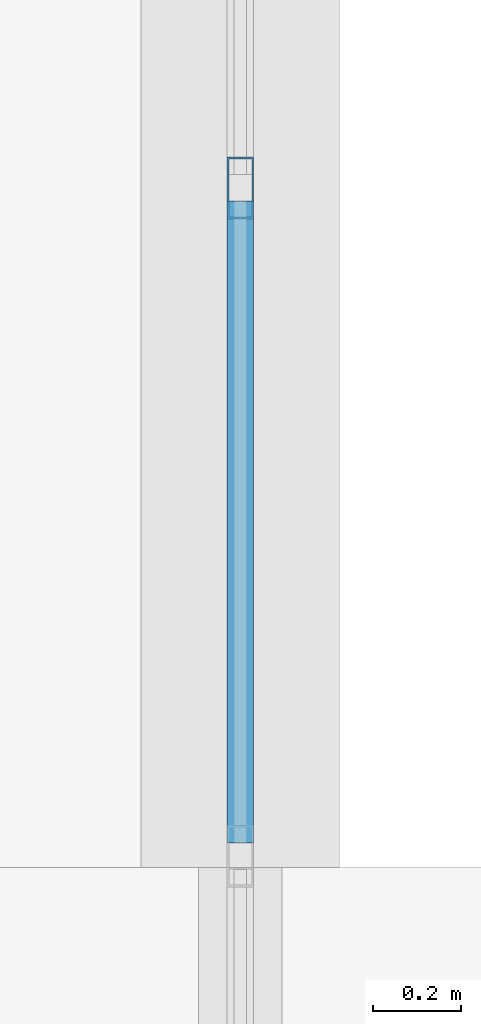
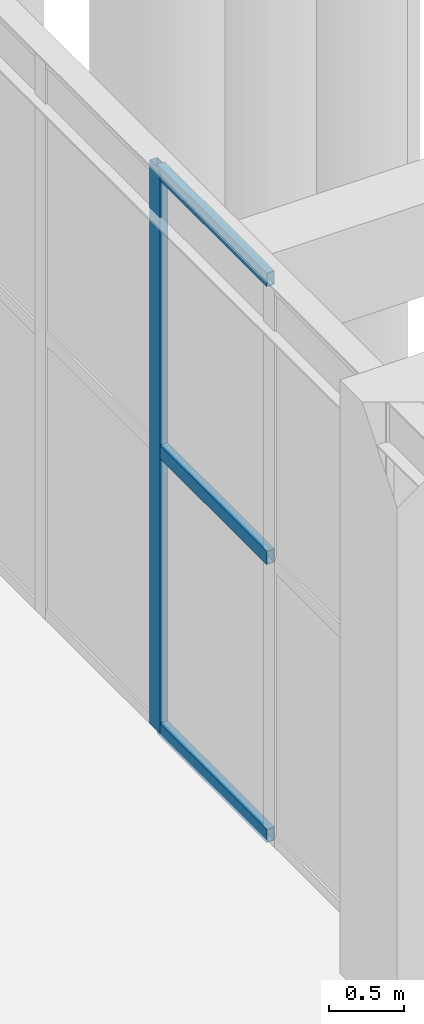
# One storey, part 98 of 192: 4 members, 1 element without a shape of its own.
"""IFC4 building model written with IfcOpenShell, lengths in metres."""

import ifcopenshell
import ifcopenshell.guid

model = None  # the IFC model being written
_history = None  # IfcOwnerHistory: only IFC2X3 demands one
_inside = {}  # id of a spatial element -> (the spatial element, [elements in it])
_under = {}  # id of a project, library or spatial element -> (it, [spatial elements below it])
_declared = {}  # id of a project -> (the project, [libraries it declares])
_typed = {}  # id of a type object -> (the type object, [elements of that type])
_made_of = {}  # id of a material, layer set ... -> (it, [elements and type objects made of it])


def new_model(schema):
    """Start an empty IFC model of exactly this schema.

    Asked for "IFC4X3", IfcOpenShell would pick the latest addendum, in which some entities
    have other attributes; the version numbers below select the first issue.
    IFC2X3 requires an IfcOwnerHistory on every rooted entity: one is made here for all.
    """
    global model, _history
    if schema == "IFC4X3":
        model = ifcopenshell.file(schema_version=(4, 3, 0, 0))
    else:
        model = ifcopenshell.file(schema=schema)
    _inside.clear()
    _under.clear()
    _declared.clear()
    _typed.clear()
    _made_of.clear()
    _history = None
    if model.schema == "IFC2X3":
        org = make("IfcOrganization", Name="unknown")
        user = make(
            "IfcPersonAndOrganization",
            ThePerson=make("IfcPerson", FamilyName="unknown"),
            TheOrganization=org,
        )
        app = make(
            "IfcApplication",
            ApplicationDeveloper=org,
            Version="unknown",
            ApplicationFullName="unknown",
            ApplicationIdentifier="unknown",
        )
        _history = make(
            "IfcOwnerHistory",
            OwningUser=user,
            OwningApplication=app,
            ChangeAction="ADDED",
            CreationDate=0,
        )
    return model


def make(cls, **values):
    """One entity of the class cls with the attributes given. An attribute that is None is left unset."""
    return model.create_entity(
        cls, **{name: value for name, value in values.items() if value is not None}
    )


def rooted(cls, **values):
    """An entity with a GlobalId (a new one), such as an element, a storey or a relation."""
    return make(cls, GlobalId=ifcopenshell.guid.new(), OwnerHistory=_history, **values)


def si_unit(unit_type, name, prefix=None):
    """IfcSIUnit, for example si_unit("LENGTHUNIT", "METRE", prefix="MILLI")."""
    return make("IfcSIUnit", UnitType=unit_type, Prefix=prefix, Name=name)


def assignment(units):
    """IfcUnitAssignment: the units of a project."""
    return None if units is None else make("IfcUnitAssignment", Units=units)


def point(xyz):
    """IfcCartesianPoint."""
    return None if xyz is None else make("IfcCartesianPoint", Coordinates=xyz)


def direction(xyz):
    """IfcDirection."""
    return None if xyz is None else make("IfcDirection", DirectionRatios=xyz)


def frame(location, z_axis=None, x_axis=None):
    """IfcAxis2Placement3D, a coordinate frame: its origin and axes. An axis left out is left unset."""
    return make(
        "IfcAxis2Placement3D",
        Location=point(location),
        Axis=direction(z_axis),
        RefDirection=direction(x_axis),
    )


def frame_2d(location, x_axis=None):
    """IfcAxis2Placement2D, a coordinate frame in the plane: its origin and x axis."""
    return make(
        "IfcAxis2Placement2D", Location=point(location), RefDirection=direction(x_axis)
    )


def origin():
    """The frame at (0, 0, 0) with its axes left unset."""
    return frame((0.0, 0.0, 0.0))


def origin_2d():
    """The frame at (0, 0) in the plane with its x axis left unset."""
    return frame_2d((0.0, 0.0))


def place(relative_to, where):
    """IfcLocalPlacement: puts the frame where relative to a parent placement (None: the world)."""
    return make(
        "IfcLocalPlacement", PlacementRelTo=relative_to, RelativePlacement=where
    )


def context(
    kind, dimensions, precision=None, world=None, true_north=None, identifier=None
):
    """IfcGeometricRepresentationContext, for example the 3D "Model" context."""
    return make(
        "IfcGeometricRepresentationContext",
        ContextIdentifier=identifier,
        ContextType=kind,
        CoordinateSpaceDimension=dimensions,
        Precision=precision,
        WorldCoordinateSystem=world,
        TrueNorth=true_north,
    )


def subcontext(parent, identifier, kind, view, scale=None):
    """IfcGeometricRepresentationSubContext, for example "Body" below "Model"."""
    return make(
        "IfcGeometricRepresentationSubContext",
        ContextIdentifier=identifier,
        ContextType=kind,
        ParentContext=parent,
        TargetScale=scale,
        TargetView=view,
    )


def project(units=None, contexts=None):
    """IfcProject with its units and contexts."""
    return rooted(
        "IfcProject",
        Name="project",
        RepresentationContexts=contexts,
        UnitsInContext=assignment(units),
    )


def spatial(cls, under=None, at=None, **own):
    """A site, building, storey or space (cls), placed at a placement, below another one or the project."""
    s = rooted(cls, ObjectPlacement=at, **own)
    if under is not None:
        _under.setdefault(under.id(), (under, []))[1].append(s)
    return s


def profile(cls, at=None, kind="AREA", **sizes):
    """A parametric profile (cls). Its sizes go by their IFC names, for example OverallWidth=200.0."""
    return make(cls, ProfileType=kind, Position=at, **sizes)


def hollow_rectangle(**sizes):
    """IfcRectangleHollowProfileDef."""
    return profile("IfcRectangleHollowProfileDef", **sizes)


def extrude(swept, where, along, depth):
    """IfcExtrudedAreaSolid: the profile swept, set in the frame where, extruded along a direction by depth."""
    return make(
        "IfcExtrudedAreaSolid",
        SweptArea=swept,
        Position=where,
        ExtrudedDirection=direction(along),
        Depth=depth,
    )


def shape(context_of_items, identifier, shape_type, items):
    """IfcShapeRepresentation: the items that make up one representation, for example the "Body"."""
    return make(
        "IfcShapeRepresentation",
        ContextOfItems=context_of_items,
        RepresentationIdentifier=identifier,
        RepresentationType=shape_type,
        Items=items,
    )


def material(Name=None, Category=None):
    """IfcMaterial."""
    return make("IfcMaterial", Name=Name, Category=Category)


def layer(
    of_material, thickness, ventilated=None, Name=None, Category=None, Priority=None
):
    """IfcMaterialLayer: one layer of a wall or slab, of a material (None: an air gap)."""
    return make(
        "IfcMaterialLayer",
        Material=of_material,
        LayerThickness=thickness,
        IsVentilated=ventilated,
        Name=Name,
        Category=Category,
        Priority=Priority,
    )


def layer_set(layers, Name=None):
    """IfcMaterialLayerSet."""
    return make("IfcMaterialLayerSet", MaterialLayers=layers, LayerSetName=Name)


def material_profile(
    of_material, cross_section, Name=None, Category=None, Priority=None
):
    """IfcMaterialProfile: a cross section and its material."""
    return make(
        "IfcMaterialProfile",
        Name=Name,
        Material=of_material,
        Profile=cross_section,
        Priority=Priority,
        Category=Category,
    )


def profile_set(profiles, Name=None, composite=None):
    """IfcMaterialProfileSet."""
    return make(
        "IfcMaterialProfileSet",
        Name=Name,
        MaterialProfiles=profiles,
        CompositeProfile=composite,
    )


def made_of(thing, what):
    """Note that an element or type object is made of a material, layer set ...; save() writes the relation."""
    if what is not None:
        _made_of.setdefault(what.id(), (what, []))[1].append(thing)
    return thing


def type_object(cls, material=None, **own):
    """A type object (cls), such as IfcWallType, which elements share."""
    return made_of(rooted(cls, **own), material)


def element(
    cls,
    number,
    at=None,
    inside=None,
    cuts=None,
    type_object=None,
    material=None,
    context=None,
    identifier="Body",
    shape_type=None,
    held_by="IfcProductDefinitionShape",
    body=None,
    shapes=None,
    **own,
):
    """One element of the class cls, such as IfcWall. Its Tag is "e" and its number.

    at: its placement. inside: the storey or other place that contains it. cuts: it is an
    opening in that element (IfcRelVoidsElement). A single representation is given by context,
    identifier, shape_type and body (its items); several are given by shapes. held_by: the class
    of the entity that holds the representations. save() writes the other relations.
    """
    e = rooted(cls, Tag="e%d" % number, ObjectPlacement=at, **own)
    if body is not None:
        shapes = [shape(context, identifier, shape_type, body)]
    if shapes is not None:
        e.Representation = make(held_by, Representations=shapes)
    if inside is not None:
        _inside.setdefault(inside.id(), (inside, []))[1].append(e)
    if cuts is not None:
        rooted(
            "IfcRelVoidsElement", RelatingBuildingElement=cuts, RelatedOpeningElement=e
        )
    if type_object is not None:
        _typed.setdefault(type_object.id(), (type_object, []))[1].append(e)
    return made_of(e, material)


def aggregate(whole, parts):
    """IfcRelAggregates: a whole, such as a stair, and the parts it consists of."""
    return rooted("IfcRelAggregates", RelatingObject=whole, RelatedObjects=parts)


def save(model, path):
    """Write the relations noted so far, then the file.

    IfcRelAggregates (storeys below a building ...), IfcRelContainedInSpatialStructure (elements
    in a storey), IfcRelDefinesByType, IfcRelAssociatesMaterial and IfcRelDeclares: one each for
    every whole, place, type object, material and project.
    """
    for whole, parts in _under.values():
        aggregate(whole, parts)
    for where, things in _inside.values():
        rooted(
            "IfcRelContainedInSpatialStructure",
            RelatedElements=things,
            RelatingStructure=where,
        )
    for kind, things in _typed.values():
        rooted("IfcRelDefinesByType", RelatedObjects=things, RelatingType=kind)
    for what, things in _made_of.values():
        rooted("IfcRelAssociatesMaterial", RelatedObjects=things, RelatingMaterial=what)
    for by, libraries in _declared.values():
        rooted("IfcRelDeclares", RelatingContext=by, RelatedDefinitions=libraries)
    model.write(path)


model = new_model("IFC4")

# Units and contexts
model_context = context("Model", 3, precision=1e-05, world=origin(), true_north=direction((0.0, 1.0)))
body_context = subcontext(model_context, "Body", "Model", "MODEL_VIEW")
ifc_project = project(units=[si_unit("LENGTHUNIT", "METRE"), si_unit("AREAUNIT", "SQUARE_METRE"), si_unit("VOLUMEUNIT", "CUBIC_METRE"), si_unit("PLANEANGLEUNIT", "RADIAN"), si_unit("MASSUNIT", "GRAM", prefix="KILO")], contexts=[model_context])

# Site, building, storey
site_placement = place(None, origin())
site = spatial("IfcSite", under=ifc_project, at=site_placement, CompositionType="ELEMENT")
building_placement = place(site_placement, origin())
building = spatial("IfcBuilding", under=site, at=building_placement, Name="Trelvath General Hospital", CompositionType="ELEMENT")
storey_placement = place(building_placement, origin())
storey = spatial("IfcBuildingStorey", under=building, at=storey_placement, Name="L00", CompositionType="ELEMENT", Elevation=0.0)

# Curtain wall, members
ifc_material_1 = material(Name="Anodised aluminium and low-E glass", Category="aluminium")
ifc_layer = layer(ifc_material_1, 0.139892578125)
ifc_layer_set = layer_set([ifc_layer], Name="Anodised aluminium and low-E glass")
curtain_wall_type = type_object("IfcCurtainWallType", Name="CW CrystalCube 758 456 14", PredefinedType="USERDEFINED", material=ifc_layer_set)
curtain_wall_placement = place(storey_placement, origin())
curtain_wall = element("IfcCurtainWall", 1, at=curtain_wall_placement, inside=storey, type_object=curtain_wall_type, Name="Crystal Cube Curtain Wall CUBE-W-T0 E6 L00", ObjectType="Unitised Glazed Curtain Wall", PredefinedType="USERDEFINED")
ifc_material_2 = material(Name="Anodised aluminium", Category="aluminium")
ifc_material_profile_1 = material_profile(ifc_material_2, hollow_rectangle(XDim=0.06005859375, YDim=0.139892578125, WallThickness=0.00390625, at=origin_2d()), Name="RHS60x140x4")
ifc_profile_set_1 = profile_set([ifc_material_profile_1], Name="Anodised aluminium")
member_type_1 = type_object("IfcMemberType", Name="CurtainMullion 60x140", PredefinedType="MULLION", material=ifc_profile_set_1)
member_1_placement = place(storey_placement, frame((75.60009765625, 79.0419921875, 0.0), z_axis=(0.0, 0.0, 1.0), x_axis=(1.0, 0.0, 0.0)))
member_1 = element("IfcMember", 2, at=member_1_placement, type_object=member_type_1, Name="CW-103 mullion 4", PredefinedType="MULLION", context=body_context, shape_type="SweptSolid", body=[
    extrude(hollow_rectangle(XDim=0.06005859375, YDim=0.139892578125, WallThickness=0.00390625, at=origin_2d()), origin(), (0.0, 0.0, 1.0), 4.56005859375),
])
ifc_material_3 = material(Name="Anodised aluminium", Category="aluminium")
ifc_material_profile_2 = material_profile(ifc_material_3, hollow_rectangle(XDim=0.06005859375, YDim=0.110107421875, WallThickness=0.00390625, at=origin_2d()), Name="RHS60x110x4")
ifc_profile_set_2 = profile_set([ifc_material_profile_2], Name="Anodised aluminium")
member_type_2 = type_object("IfcMemberType", Name="CurtainTransom 60x110", PredefinedType="USERDEFINED", material=ifc_profile_set_2)
member_2_placement = place(storey_placement, frame((75.60009765625, 79.011962890625, 0.030029296875), z_axis=(0.0, -1.0, 0.0), x_axis=(1.0, 0.0, 0.0)))
member_2 = element("IfcMember", 3, at=member_2_placement, type_object=member_type_2, Name="CW-103 transom 4.1", ObjectType="TRANSOM", PredefinedType="USERDEFINED", context=body_context, shape_type="SweptSolid", body=[
    extrude(hollow_rectangle(XDim=0.06005859375, YDim=0.110107421875, WallThickness=0.00390625, at=origin_2d()), origin(), (0.0, 0.0, 1.0), 1.4560546875),
])
member_3_placement = place(storey_placement, frame((75.60009765625, 79.011962890625, 2.280029296875), z_axis=(0.0, -1.0, 0.0), x_axis=(1.0, 0.0, 0.0)))
member_3 = element("IfcMember", 4, at=member_3_placement, type_object=member_type_2, Name="CW-103 transom 4.2", ObjectType="TRANSOM", PredefinedType="USERDEFINED", context=body_context, shape_type="SweptSolid", body=[
    extrude(hollow_rectangle(XDim=0.06005859375, YDim=0.110107421875, WallThickness=0.00390625, at=origin_2d()), origin(), (0.0, 0.0, 1.0), 1.4560546875),
])
member_4_placement = place(storey_placement, frame((75.60009765625, 79.011962890625, 4.530029296875), z_axis=(0.0, -1.0, 0.0), x_axis=(1.0, 0.0, 0.0)))
member_4 = element("IfcMember", 5, at=member_4_placement, type_object=member_type_2, Name="CW-103 transom 4.3", ObjectType="TRANSOM", PredefinedType="USERDEFINED", context=body_context, shape_type="SweptSolid", body=[
    extrude(hollow_rectangle(XDim=0.06005859375, YDim=0.110107421875, WallThickness=0.00390625, at=origin_2d()), origin(), (0.0, 0.0, 1.0), 1.4560546875),
])
aggregate(curtain_wall, [member_1, member_2, member_3, member_4])

save(model, "model.ifc")
